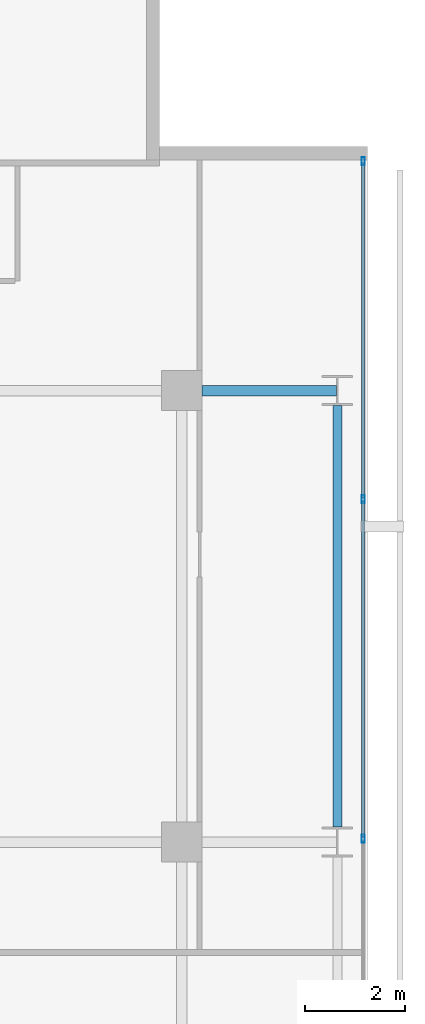
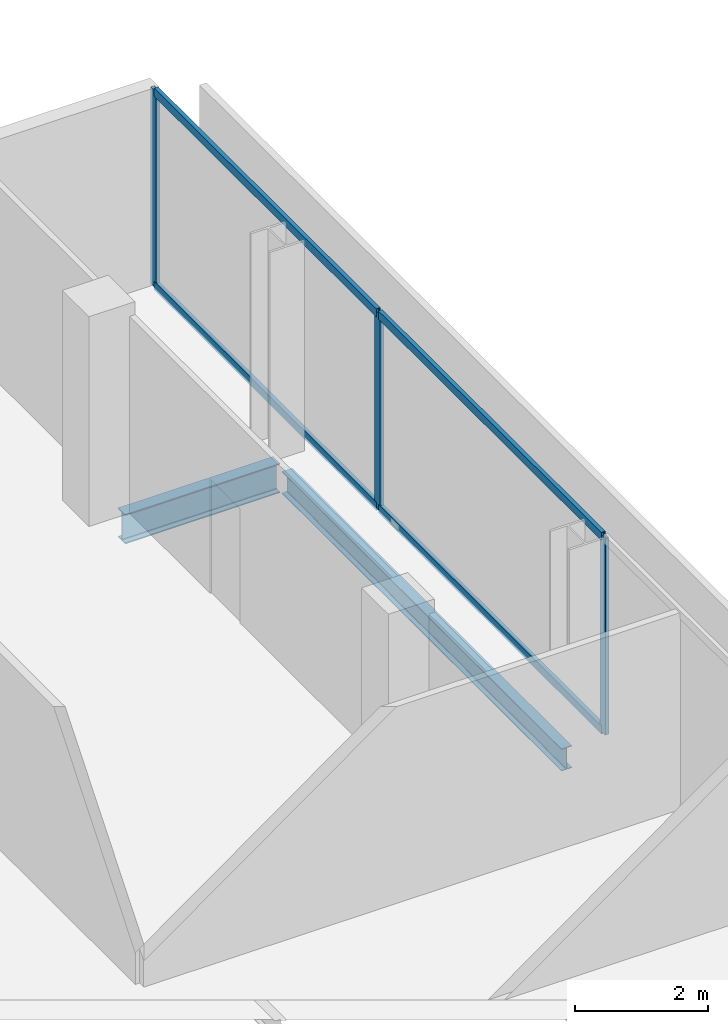
# One storey, part 24 of 33: 7 members, 2 beams, 1 element without a shape of its own.
"""IFC4 building model written with IfcOpenShell, lengths in metres."""

from ifc_helpers import new_model, si_unit, direction, frame, origin, origin_2d, place, context, subcontext, project, spatial, hollow_rectangle, i_section, extrude, material, layer, layer_set, material_profile, profile_set, type_object, element, aggregate, save


model = new_model("IFC4")

# Units and contexts
model_context = context("Model", 3, precision=1e-05, world=origin(), true_north=direction((0.0, 1.0)))
body_context = subcontext(model_context, "Body", "Model", "MODEL_VIEW")
ifc_project = project(units=[si_unit("LENGTHUNIT", "METRE"), si_unit("AREAUNIT", "SQUARE_METRE"), si_unit("VOLUMEUNIT", "CUBIC_METRE"), si_unit("PLANEANGLEUNIT", "RADIAN"), si_unit("MASSUNIT", "GRAM", prefix="KILO")], contexts=[model_context])

# Site, building, storey
site_placement = place(None, origin())
site = spatial("IfcSite", under=ifc_project, at=site_placement, CompositionType="ELEMENT")
building_placement = place(site_placement, origin())
building = spatial("IfcBuilding", under=site, at=building_placement, Name="Maruvema Waterfront Hotel and Observation Tower", CompositionType="ELEMENT")
storey_placement = place(building_placement, frame((0.0, 0.0, 200.550048828125)))
storey = spatial("IfcBuildingStorey", under=building, at=storey_placement, Name="L49", CompositionType="ELEMENT", Elevation=200.550048828125)

# Curtain wall, members
ifc_material_1 = material(Name="Anodised bronze aluminium and solar-control low-E IGU", Category="aluminium")
ifc_layer = layer(ifc_material_1, 0.159912109375, Name="Zone 2 Amber Inner Thermal Curtain Wall System CW-03")
ifc_layer_set = layer_set([ifc_layer], Name="Anodised bronze aluminium and solar-control low-E IGU")
curtain_wall_type = type_object("IfcCurtainWallType", Name="Zone 2 Amber Inner Thermal Curtain Wall System CW-03", PredefinedType="USERDEFINED", material=ifc_layer_set)
curtain_wall_placement = place(storey_placement, origin())
curtain_wall = element("IfcCurtainWall", 1, at=curtain_wall_placement, inside=storey, type_object=curtain_wall_type, Name="L49 Curtain Wall CW-L49-E", ObjectType="UNITISED CURTAIN WALL", PredefinedType="USERDEFINED")
ifc_material_2 = material(Name="Anodised architectural bronze aluminium", Category="aluminium")
ifc_material_profile_1 = material_profile(ifc_material_2, hollow_rectangle(XDim=0.070068359375, YDim=0.14990234375, WallThickness=0.00390625, at=origin_2d()), Name="ALU-T70x150")
ifc_profile_set_1 = profile_set([ifc_material_profile_1], Name="Anodised architectural bronze aluminium")
member_type_1 = type_object("IfcMemberType", Name="Curtain Wall Horizontal Transom ALU-T70x150", PredefinedType="USERDEFINED", material=ifc_profile_set_1)
member_1_placement = place(storey_placement, frame((62.419921875, 36.0966796875, 0.030029296875), z_axis=(0.0, 1.0, 0.0), x_axis=(-1.0, 0.0, 0.0)))
member_1 = element("IfcMember", 2, at=member_1_placement, type_object=member_type_1, Name="CW-03 transom 5.1", ObjectType="TRANSOM", PredefinedType="USERDEFINED", context=body_context, shape_type="SweptSolid", body=[
    extrude(hollow_rectangle(XDim=0.070068359375, YDim=0.14990234375, WallThickness=0.00390625, at=origin_2d()), origin(), (0.0, 0.0, 1.0), 6.70654296875),
])
member_2_placement = place(storey_placement, frame((62.419921875, 36.0966796875, 3.579833984375), z_axis=(0.0, 1.0, 0.0), x_axis=(-1.0, 0.0, 0.0)))
member_2 = element("IfcMember", 3, at=member_2_placement, type_object=member_type_1, Name="CW-03 transom 5.2", ObjectType="TRANSOM", PredefinedType="USERDEFINED", context=body_context, shape_type="SweptSolid", body=[
    extrude(hollow_rectangle(XDim=0.070068359375, YDim=0.14990234375, WallThickness=0.00390625, at=origin_2d()), origin(), (0.0, 0.0, 1.0), 6.70654296875),
])
member_3_placement = place(storey_placement, frame((62.419921875, 42.86328125, 0.030029296875), z_axis=(0.0, 1.0, 0.0), x_axis=(-1.0, 0.0, 0.0)))
member_3 = element("IfcMember", 4, at=member_3_placement, type_object=member_type_1, Name="CW-03 transom 6.1", ObjectType="TRANSOM", PredefinedType="USERDEFINED", context=body_context, shape_type="SweptSolid", body=[
    extrude(hollow_rectangle(XDim=0.070068359375, YDim=0.14990234375, WallThickness=0.00390625, at=origin_2d()), origin(), (0.0, 0.0, 1.0), 6.6767578125),
])
member_4_placement = place(storey_placement, frame((62.419921875, 42.86328125, 3.579833984375), z_axis=(0.0, 1.0, 0.0), x_axis=(-1.0, 0.0, 0.0)))
member_4 = element("IfcMember", 5, at=member_4_placement, type_object=member_type_1, Name="CW-03 transom 6.2", ObjectType="TRANSOM", PredefinedType="USERDEFINED", context=body_context, shape_type="SweptSolid", body=[
    extrude(hollow_rectangle(XDim=0.070068359375, YDim=0.14990234375, WallThickness=0.00390625, at=origin_2d()), origin(), (0.0, 0.0, 1.0), 6.6767578125),
])
ifc_material_3 = material(Name="Anodised architectural bronze aluminium", Category="aluminium")
ifc_material_profile_2 = material_profile(ifc_material_3, hollow_rectangle(XDim=0.06494140625, YDim=0.1650390625, WallThickness=0.00390625, at=origin_2d()), Name="ALU-M65x165")
ifc_profile_set_2 = profile_set([ifc_material_profile_2], Name="Anodised architectural bronze aluminium")
member_type_2 = type_object("IfcMemberType", Name="Curtain Wall Primary Mullion ALU-M65x165", PredefinedType="MULLION", material=ifc_profile_set_2)
member_5_placement = place(storey_placement, frame((62.419921875, 36.066650390625, 0.0), z_axis=(0.0, 0.0, 1.0), x_axis=(-1.0, 0.0, 0.0)))
member_5 = element("IfcMember", 6, at=member_5_placement, type_object=member_type_2, Name="CW-03 mullion 5", PredefinedType="MULLION", context=body_context, shape_type="SweptSolid", body=[
    extrude(hollow_rectangle(XDim=0.06494140625, YDim=0.1650390625, WallThickness=0.00390625, at=origin_2d()), origin(), (0.0, 0.0, 1.0), 3.60986328125),
])
member_6_placement = place(storey_placement, frame((62.419921875, 42.833251953125, 0.0), z_axis=(0.0, 0.0, 1.0), x_axis=(-1.0, 0.0, 0.0)))
member_6 = element("IfcMember", 7, at=member_6_placement, type_object=member_type_2, Name="CW-03 mullion 6", PredefinedType="MULLION", context=body_context, shape_type="SweptSolid", body=[
    extrude(hollow_rectangle(XDim=0.06494140625, YDim=0.1650390625, WallThickness=0.00390625, at=origin_2d()), origin(), (0.0, 0.0, 1.0), 3.60986328125),
])
member_7_placement = place(storey_placement, frame((62.419921875, 49.570068359375, 0.0), z_axis=(0.0, 0.0, 1.0), x_axis=(-1.0, 0.0, 0.0)))
member_7 = element("IfcMember", 8, at=member_7_placement, type_object=member_type_2, Name="CW-03 mullion 7", PredefinedType="MULLION", context=body_context, shape_type="SweptSolid", body=[
    extrude(hollow_rectangle(XDim=0.06494140625, YDim=0.1650390625, WallThickness=0.00390625, at=origin_2d()), origin(), (0.0, 0.0, 1.0), 3.60986328125),
])
aggregate(curtain_wall, [member_5, member_6, member_7, member_1, member_2, member_3, member_4])

# Beams
ifc_material_4 = material(Name="Steel ASTM A572 Grade 50", Category="steel")
ifc_material_profile_3 = material_profile(ifc_material_4, i_section(OverallWidth=0.178955078125, OverallDepth=0.409912109375, WebThickness=0.0087890625, FlangeThickness=0.014404296875, FilletRadius=0.014892578125, at=origin_2d()), Name="W410x67.0")
ifc_profile_set_3 = profile_set([ifc_material_profile_3], Name="Steel ASTM A572 Grade 50")
beam_type_1 = type_object("IfcBeamType", Name="Perimeter Spandrel Beam W410x67.0", PredefinedType="SPANDREL", material=ifc_profile_set_3)
beam_1_placement = place(storey_placement, frame((61.89990234375, 36.300048828125, -0.445068359375), z_axis=(0.0, 1.0, 0.0), x_axis=(-1.0, 0.0, 0.0)))
element("IfcBeam", 9, at=beam_1_placement, inside=storey, type_object=beam_type_1, Name="L49 Floor Girder NS-32", PredefinedType="SPANDREL", context=body_context, shape_type="SweptSolid", body=[
    extrude(i_section(OverallWidth=0.178955078125, OverallDepth=0.409912109375, WebThickness=0.0087890625, FlangeThickness=0.014404296875, FilletRadius=0.014892578125, at=origin_2d()), origin(), (0.0, 0.0, 1.0), 8.39990234375),
])
ifc_material_5 = material(Name="Steel ASTM A572 Grade 50", Category="steel")
ifc_material_profile_4 = material_profile(ifc_material_5, i_section(OverallWidth=0.2109375, OverallDepth=0.5390625, WebThickness=0.01171875, FlangeThickness=0.018798828125, FilletRadius=0.014892578125, at=origin_2d()), Name="W530x109.0")
ifc_profile_set_4 = profile_set([ifc_material_profile_4], Name="Steel ASTM A572 Grade 50")
beam_type_2 = type_object("IfcBeamType", Name="Primary Floor Girder W530x109.0", PredefinedType="BEAM", material=ifc_profile_set_4)
beam_2_placement = place(storey_placement, frame((59.199951171875, 45.0, -0.509521484375), z_axis=(1.0, 0.0, 0.0), x_axis=(0.0, 1.0, 0.0)))
element("IfcBeam", 10, at=beam_2_placement, inside=storey, type_object=beam_type_2, Name="L49 Floor Girder EW-33", PredefinedType="BEAM", context=body_context, shape_type="SweptSolid", body=[
    extrude(i_section(OverallWidth=0.2109375, OverallDepth=0.5390625, WebThickness=0.01171875, FlangeThickness=0.018798828125, FilletRadius=0.014892578125, at=origin_2d()), origin(), (0.0, 0.0, 1.0), 2.6875),
])

save(model, "model.ifc")
